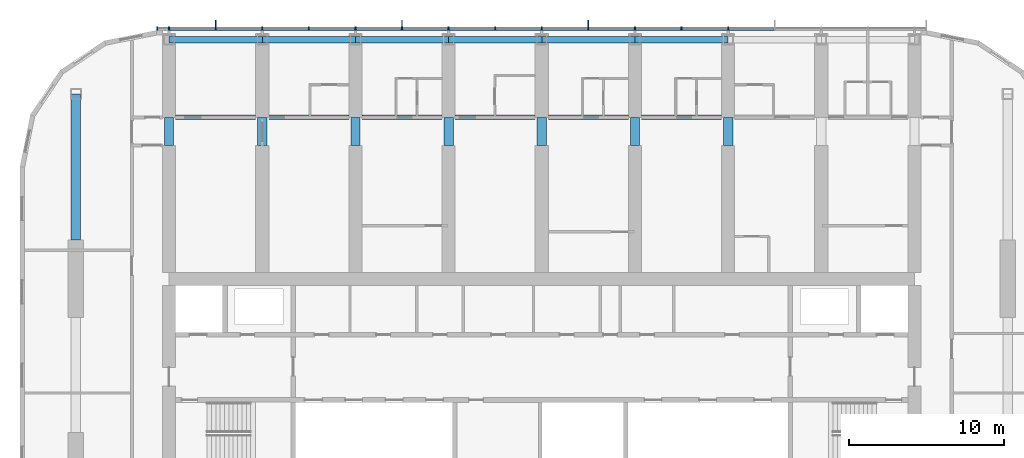
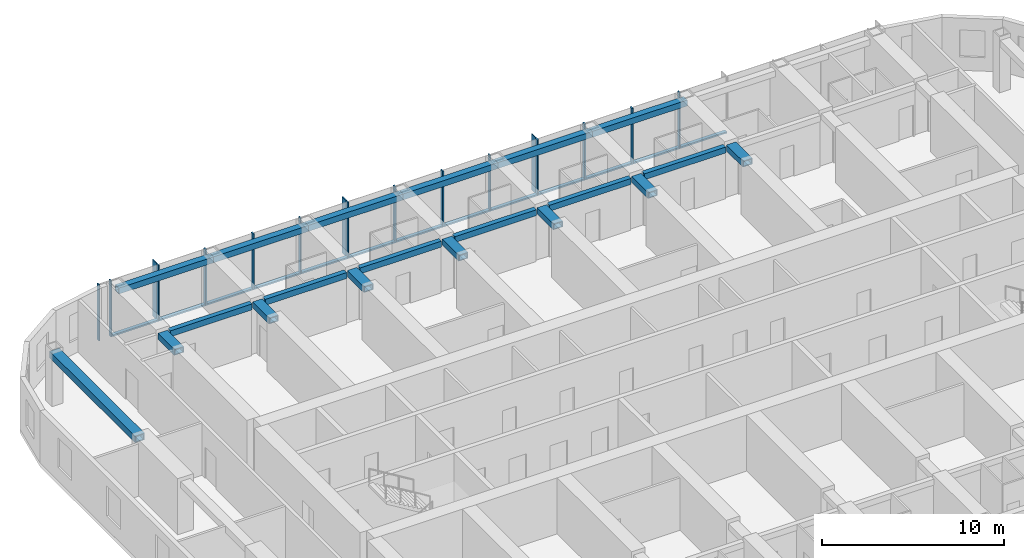
# One storey, part 4 of 22: 30 members, 20 beams, 1 element without a shape of its own.
"""IFC4 building model written with IfcOpenShell, lengths in metres."""

import ifcopenshell
import ifcopenshell.guid

model = None  # the IFC model being written
_history = None  # IfcOwnerHistory: only IFC2X3 demands one
_inside = {}  # id of a spatial element -> (the spatial element, [elements in it])
_under = {}  # id of a project, library or spatial element -> (it, [spatial elements below it])
_declared = {}  # id of a project -> (the project, [libraries it declares])
_typed = {}  # id of a type object -> (the type object, [elements of that type])
_made_of = {}  # id of a material, layer set ... -> (it, [elements and type objects made of it])


def new_model(schema):
    """Start an empty IFC model of exactly this schema.

    Asked for "IFC4X3", IfcOpenShell would pick the latest addendum, in which some entities
    have other attributes; the version numbers below select the first issue.
    IFC2X3 requires an IfcOwnerHistory on every rooted entity: one is made here for all.
    """
    global model, _history
    if schema == "IFC4X3":
        model = ifcopenshell.file(schema_version=(4, 3, 0, 0))
    else:
        model = ifcopenshell.file(schema=schema)
    _inside.clear()
    _under.clear()
    _declared.clear()
    _typed.clear()
    _made_of.clear()
    _history = None
    if model.schema == "IFC2X3":
        org = make("IfcOrganization", Name="unknown")
        user = make(
            "IfcPersonAndOrganization",
            ThePerson=make("IfcPerson", FamilyName="unknown"),
            TheOrganization=org,
        )
        app = make(
            "IfcApplication",
            ApplicationDeveloper=org,
            Version="unknown",
            ApplicationFullName="unknown",
            ApplicationIdentifier="unknown",
        )
        _history = make(
            "IfcOwnerHistory",
            OwningUser=user,
            OwningApplication=app,
            ChangeAction="ADDED",
            CreationDate=0,
        )
    return model


def make(cls, **values):
    """One entity of the class cls with the attributes given. An attribute that is None is left unset."""
    return model.create_entity(
        cls, **{name: value for name, value in values.items() if value is not None}
    )


def rooted(cls, **values):
    """An entity with a GlobalId (a new one), such as an element, a storey or a relation."""
    return make(cls, GlobalId=ifcopenshell.guid.new(), OwnerHistory=_history, **values)


def si_unit(unit_type, name, prefix=None):
    """IfcSIUnit, for example si_unit("LENGTHUNIT", "METRE", prefix="MILLI")."""
    return make("IfcSIUnit", UnitType=unit_type, Prefix=prefix, Name=name)


def assignment(units):
    """IfcUnitAssignment: the units of a project."""
    return None if units is None else make("IfcUnitAssignment", Units=units)


def point(xyz):
    """IfcCartesianPoint."""
    return None if xyz is None else make("IfcCartesianPoint", Coordinates=xyz)


def direction(xyz):
    """IfcDirection."""
    return None if xyz is None else make("IfcDirection", DirectionRatios=xyz)


def frame(location, z_axis=None, x_axis=None):
    """IfcAxis2Placement3D, a coordinate frame: its origin and axes. An axis left out is left unset."""
    return make(
        "IfcAxis2Placement3D",
        Location=point(location),
        Axis=direction(z_axis),
        RefDirection=direction(x_axis),
    )


def frame_2d(location, x_axis=None):
    """IfcAxis2Placement2D, a coordinate frame in the plane: its origin and x axis."""
    return make(
        "IfcAxis2Placement2D", Location=point(location), RefDirection=direction(x_axis)
    )


def origin():
    """The frame at (0, 0, 0) with its axes left unset."""
    return frame((0.0, 0.0, 0.0))


def origin_2d():
    """The frame at (0, 0) in the plane with its x axis left unset."""
    return frame_2d((0.0, 0.0))


def place(relative_to, where):
    """IfcLocalPlacement: puts the frame where relative to a parent placement (None: the world)."""
    return make(
        "IfcLocalPlacement", PlacementRelTo=relative_to, RelativePlacement=where
    )


def context(
    kind, dimensions, precision=None, world=None, true_north=None, identifier=None
):
    """IfcGeometricRepresentationContext, for example the 3D "Model" context."""
    return make(
        "IfcGeometricRepresentationContext",
        ContextIdentifier=identifier,
        ContextType=kind,
        CoordinateSpaceDimension=dimensions,
        Precision=precision,
        WorldCoordinateSystem=world,
        TrueNorth=true_north,
    )


def subcontext(parent, identifier, kind, view, scale=None):
    """IfcGeometricRepresentationSubContext, for example "Body" below "Model"."""
    return make(
        "IfcGeometricRepresentationSubContext",
        ContextIdentifier=identifier,
        ContextType=kind,
        ParentContext=parent,
        TargetScale=scale,
        TargetView=view,
    )


def project(units=None, contexts=None):
    """IfcProject with its units and contexts."""
    return rooted(
        "IfcProject",
        Name="project",
        RepresentationContexts=contexts,
        UnitsInContext=assignment(units),
    )


def spatial(cls, under=None, at=None, **own):
    """A site, building, storey or space (cls), placed at a placement, below another one or the project."""
    s = rooted(cls, ObjectPlacement=at, **own)
    if under is not None:
        _under.setdefault(under.id(), (under, []))[1].append(s)
    return s


def profile(cls, at=None, kind="AREA", **sizes):
    """A parametric profile (cls). Its sizes go by their IFC names, for example OverallWidth=200.0."""
    return make(cls, ProfileType=kind, Position=at, **sizes)


def rectangle(**sizes):
    """IfcRectangleProfileDef."""
    return profile("IfcRectangleProfileDef", **sizes)


def hollow_rectangle(**sizes):
    """IfcRectangleHollowProfileDef."""
    return profile("IfcRectangleHollowProfileDef", **sizes)


def extrude(swept, where, along, depth):
    """IfcExtrudedAreaSolid: the profile swept, set in the frame where, extruded along a direction by depth."""
    return make(
        "IfcExtrudedAreaSolid",
        SweptArea=swept,
        Position=where,
        ExtrudedDirection=direction(along),
        Depth=depth,
    )


def shape(context_of_items, identifier, shape_type, items):
    """IfcShapeRepresentation: the items that make up one representation, for example the "Body"."""
    return make(
        "IfcShapeRepresentation",
        ContextOfItems=context_of_items,
        RepresentationIdentifier=identifier,
        RepresentationType=shape_type,
        Items=items,
    )


def material(Name=None, Category=None):
    """IfcMaterial."""
    return make("IfcMaterial", Name=Name, Category=Category)


def material_profile(
    of_material, cross_section, Name=None, Category=None, Priority=None
):
    """IfcMaterialProfile: a cross section and its material."""
    return make(
        "IfcMaterialProfile",
        Name=Name,
        Material=of_material,
        Profile=cross_section,
        Priority=Priority,
        Category=Category,
    )


def profile_set(profiles, Name=None, composite=None):
    """IfcMaterialProfileSet."""
    return make(
        "IfcMaterialProfileSet",
        Name=Name,
        MaterialProfiles=profiles,
        CompositeProfile=composite,
    )


def made_of(thing, what):
    """Note that an element or type object is made of a material, layer set ...; save() writes the relation."""
    if what is not None:
        _made_of.setdefault(what.id(), (what, []))[1].append(thing)
    return thing


def type_object(cls, material=None, **own):
    """A type object (cls), such as IfcWallType, which elements share."""
    return made_of(rooted(cls, **own), material)


def element(
    cls,
    number,
    at=None,
    inside=None,
    cuts=None,
    type_object=None,
    material=None,
    context=None,
    identifier="Body",
    shape_type=None,
    held_by="IfcProductDefinitionShape",
    body=None,
    shapes=None,
    **own,
):
    """One element of the class cls, such as IfcWall. Its Tag is "e" and its number.

    at: its placement. inside: the storey or other place that contains it. cuts: it is an
    opening in that element (IfcRelVoidsElement). A single representation is given by context,
    identifier, shape_type and body (its items); several are given by shapes. held_by: the class
    of the entity that holds the representations. save() writes the other relations.
    """
    e = rooted(cls, Tag="e%d" % number, ObjectPlacement=at, **own)
    if body is not None:
        shapes = [shape(context, identifier, shape_type, body)]
    if shapes is not None:
        e.Representation = make(held_by, Representations=shapes)
    if inside is not None:
        _inside.setdefault(inside.id(), (inside, []))[1].append(e)
    if cuts is not None:
        rooted(
            "IfcRelVoidsElement", RelatingBuildingElement=cuts, RelatedOpeningElement=e
        )
    if type_object is not None:
        _typed.setdefault(type_object.id(), (type_object, []))[1].append(e)
    return made_of(e, material)


def aggregate(whole, parts):
    """IfcRelAggregates: a whole, such as a stair, and the parts it consists of."""
    return rooted("IfcRelAggregates", RelatingObject=whole, RelatedObjects=parts)


def save(model, path):
    """Write the relations noted so far, then the file.

    IfcRelAggregates (storeys below a building ...), IfcRelContainedInSpatialStructure (elements
    in a storey), IfcRelDefinesByType, IfcRelAssociatesMaterial and IfcRelDeclares: one each for
    every whole, place, type object, material and project.
    """
    for whole, parts in _under.values():
        aggregate(whole, parts)
    for where, things in _inside.values():
        rooted(
            "IfcRelContainedInSpatialStructure",
            RelatedElements=things,
            RelatingStructure=where,
        )
    for kind, things in _typed.values():
        rooted("IfcRelDefinesByType", RelatedObjects=things, RelatingType=kind)
    for what, things in _made_of.values():
        rooted("IfcRelAssociatesMaterial", RelatedObjects=things, RelatingMaterial=what)
    for by, libraries in _declared.values():
        rooted("IfcRelDeclares", RelatingContext=by, RelatedDefinitions=libraries)
    model.write(path)


model = new_model("IFC4")

# Units and contexts
model_context = context("Model", 3, precision=1e-05, world=origin(), true_north=direction((0.0, 1.0)))
body_context = subcontext(model_context, "Body", "Model", "MODEL_VIEW")
ifc_project = project(units=[si_unit("LENGTHUNIT", "METRE"), si_unit("AREAUNIT", "SQUARE_METRE"), si_unit("VOLUMEUNIT", "CUBIC_METRE"), si_unit("PLANEANGLEUNIT", "RADIAN"), si_unit("MASSUNIT", "GRAM", prefix="KILO")], contexts=[model_context])

# Site, building, storey
site_placement = place(None, origin())
site = spatial("IfcSite", under=ifc_project, at=site_placement, CompositionType="ELEMENT")
building_placement = place(site_placement, origin())
building = spatial("IfcBuilding", under=site, at=building_placement, Name="Orbita Commons", CompositionType="ELEMENT")
storey_placement = place(building_placement, frame((0.0, 0.0, 156.10009765625)))
storey = spatial("IfcBuildingStorey", under=building, at=storey_placement, Name="L38", CompositionType="ELEMENT", Elevation=156.10009765625)

# Curtain wall, members
ifc_material_1 = material(Name="Anodised aluminium frame, pale silver", Category="aluminium")
curtain_wall_type = type_object("IfcCurtainWallType", Name="Unitised curtain wall CW-U, full-height vision", PredefinedType="NOTDEFINED", material=ifc_material_1)
curtain_wall_placement = place(storey_placement, origin())
curtain_wall = element("IfcCurtainWall", 1, at=curtain_wall_placement, inside=storey, type_object=curtain_wall_type, Name="Curtain wall north L38", PredefinedType="NOTDEFINED")
ifc_material_2 = material(Name="Anodised aluminium, pale silver", Category="aluminium")
ifc_material_profile_1 = material_profile(ifc_material_2, rectangle(XDim=0.080078125, YDim=0.219970703125, at=origin_2d()), Name="AL 80x220")
ifc_profile_set_1 = profile_set([ifc_material_profile_1], Name="Anodised aluminium, pale silver")
member_type_1 = type_object("IfcMemberType", Name="Curtain wall mullion 80x220", PredefinedType="MULLION", material=ifc_profile_set_1)
member_1_placement = place(storey_placement, frame((54.0, 54.31005859375, -0.25), z_axis=(0.0, 0.0, 1.0), x_axis=(-1.0, 0.0, 0.0)))
member_1 = element("IfcMember", 2, at=member_1_placement, type_object=member_type_1, Name="Mullion 6 CW-L38-N", PredefinedType="MULLION", context=body_context, shape_type="SweptSolid", body=[
    extrude(rectangle(XDim=0.080078125, YDim=0.219970703125, at=origin_2d()), origin(), (0.0, 0.0, 1.0), 3.75),
])
member_2_placement = place(storey_placement, frame((51.0, 54.31005859375, -0.25), z_axis=(0.0, 0.0, 1.0), x_axis=(-1.0, 0.0, 0.0)))
member_2 = element("IfcMember", 3, at=member_2_placement, type_object=member_type_1, Name="Mullion 7 CW-L38-N", PredefinedType="MULLION", context=body_context, shape_type="SweptSolid", body=[
    extrude(rectangle(XDim=0.080078125, YDim=0.219970703125, at=origin_2d()), origin(), (0.0, 0.0, 1.0), 3.75),
])
member_3_placement = place(storey_placement, frame((48.0, 54.31005859375, -0.25), z_axis=(0.0, 0.0, 1.0), x_axis=(-1.0, 0.0, 0.0)))
member_3 = element("IfcMember", 4, at=member_3_placement, type_object=member_type_1, Name="Mullion 8 CW-L38-N", PredefinedType="MULLION", context=body_context, shape_type="SweptSolid", body=[
    extrude(rectangle(XDim=0.080078125, YDim=0.219970703125, at=origin_2d()), origin(), (0.0, 0.0, 1.0), 3.75),
])
member_4_placement = place(storey_placement, frame((45.0, 54.31005859375, -0.25), z_axis=(0.0, 0.0, 1.0), x_axis=(-1.0, 0.0, 0.0)))
member_4 = element("IfcMember", 5, at=member_4_placement, type_object=member_type_1, Name="Mullion 9 CW-L38-N", PredefinedType="MULLION", context=body_context, shape_type="SweptSolid", body=[
    extrude(rectangle(XDim=0.080078125, YDim=0.219970703125, at=origin_2d()), origin(), (0.0, 0.0, 1.0), 3.75),
])
member_5_placement = place(storey_placement, frame((42.0, 54.31005859375, -0.25), z_axis=(0.0, 0.0, 1.0), x_axis=(-1.0, 0.0, 0.0)))
member_5 = element("IfcMember", 6, at=member_5_placement, type_object=member_type_1, Name="Mullion 10 CW-L38-N", PredefinedType="MULLION", context=body_context, shape_type="SweptSolid", body=[
    extrude(rectangle(XDim=0.080078125, YDim=0.219970703125, at=origin_2d()), origin(), (0.0, 0.0, 1.0), 3.75),
])
member_6_placement = place(storey_placement, frame((39.0, 54.31005859375, -0.25), z_axis=(0.0, 0.0, 1.0), x_axis=(-1.0, 0.0, 0.0)))
member_6 = element("IfcMember", 7, at=member_6_placement, type_object=member_type_1, Name="Mullion 11 CW-L38-N", PredefinedType="MULLION", context=body_context, shape_type="SweptSolid", body=[
    extrude(rectangle(XDim=0.080078125, YDim=0.219970703125, at=origin_2d()), origin(), (0.0, 0.0, 1.0), 3.75),
])
member_7_placement = place(storey_placement, frame((36.0, 54.31005859375, -0.25), z_axis=(0.0, 0.0, 1.0), x_axis=(-1.0, 0.0, 0.0)))
member_7 = element("IfcMember", 8, at=member_7_placement, type_object=member_type_1, Name="Mullion 12 CW-L38-N", PredefinedType="MULLION", context=body_context, shape_type="SweptSolid", body=[
    extrude(rectangle(XDim=0.080078125, YDim=0.219970703125, at=origin_2d()), origin(), (0.0, 0.0, 1.0), 3.75),
])
member_8_placement = place(storey_placement, frame((33.0, 54.31005859375, -0.25), z_axis=(0.0, 0.0, 1.0), x_axis=(-1.0, 0.0, 0.0)))
member_8 = element("IfcMember", 9, at=member_8_placement, type_object=member_type_1, Name="Mullion 13 CW-L38-N", PredefinedType="MULLION", context=body_context, shape_type="SweptSolid", body=[
    extrude(rectangle(XDim=0.080078125, YDim=0.219970703125, at=origin_2d()), origin(), (0.0, 0.0, 1.0), 3.75),
])
member_9_placement = place(storey_placement, frame((30.0, 54.31005859375, -0.25), z_axis=(0.0, 0.0, 1.0), x_axis=(-1.0, 0.0, 0.0)))
member_9 = element("IfcMember", 10, at=member_9_placement, type_object=member_type_1, Name="Mullion 14 CW-L38-N", PredefinedType="MULLION", context=body_context, shape_type="SweptSolid", body=[
    extrude(rectangle(XDim=0.080078125, YDim=0.219970703125, at=origin_2d()), origin(), (0.0, 0.0, 1.0), 3.75),
])
member_10_placement = place(storey_placement, frame((27.0, 54.31005859375, -0.25), z_axis=(0.0, 0.0, 1.0), x_axis=(-1.0, 0.0, 0.0)))
member_10 = element("IfcMember", 11, at=member_10_placement, type_object=member_type_1, Name="Mullion 15 CW-L38-N", PredefinedType="MULLION", context=body_context, shape_type="SweptSolid", body=[
    extrude(rectangle(XDim=0.080078125, YDim=0.219970703125, at=origin_2d()), origin(), (0.0, 0.0, 1.0), 3.75),
])
member_11_placement = place(storey_placement, frame((24.0, 54.31005859375, -0.25), z_axis=(0.0, 0.0, 1.0), x_axis=(-1.0, 0.0, 0.0)))
member_11 = element("IfcMember", 12, at=member_11_placement, type_object=member_type_1, Name="Mullion 16 CW-L38-N", PredefinedType="MULLION", context=body_context, shape_type="SweptSolid", body=[
    extrude(rectangle(XDim=0.080078125, YDim=0.219970703125, at=origin_2d()), origin(), (0.0, 0.0, 1.0), 3.75),
])
member_12_placement = place(storey_placement, frame((21.0, 54.31005859375, -0.25), z_axis=(0.0, 0.0, 1.0), x_axis=(-1.0, 0.0, 0.0)))
member_12 = element("IfcMember", 13, at=member_12_placement, type_object=member_type_1, Name="Mullion 17 CW-L38-N", PredefinedType="MULLION", context=body_context, shape_type="SweptSolid", body=[
    extrude(rectangle(XDim=0.080078125, YDim=0.219970703125, at=origin_2d()), origin(), (0.0, 0.0, 1.0), 3.75),
])
member_13_placement = place(storey_placement, frame((18.0, 54.31005859375, -0.25), z_axis=(0.0, 0.0, 1.0), x_axis=(-1.0, 0.0, 0.0)))
member_13 = element("IfcMember", 14, at=member_13_placement, type_object=member_type_1, Name="Mullion 18 CW-L38-N", PredefinedType="MULLION", context=body_context, shape_type="SweptSolid", body=[
    extrude(rectangle(XDim=0.080078125, YDim=0.219970703125, at=origin_2d()), origin(), (0.0, 0.0, 1.0), 3.75),
])
member_14_placement = place(storey_placement, frame((17.239990234375, 54.31005859375, -0.25), z_axis=(0.0, 0.0, 1.0), x_axis=(-1.0, 0.0, 0.0)))
member_14 = element("IfcMember", 15, at=member_14_placement, type_object=member_type_1, Name="Mullion 19 CW-L38-N", PredefinedType="MULLION", context=body_context, shape_type="SweptSolid", body=[
    extrude(rectangle(XDim=0.080078125, YDim=0.219970703125, at=origin_2d()), origin(), (0.0, 0.0, 1.0), 3.75),
])
ifc_material_3 = material(Name="Anodised aluminium, pale silver", Category="aluminium")
ifc_material_profile_2 = material_profile(ifc_material_3, rectangle(XDim=0.219970703125, YDim=0.10009765625, at=origin_2d()), Name="AL 220x100")
ifc_profile_set_2 = profile_set([ifc_material_profile_2], Name="Anodised aluminium, pale silver")
member_type_2 = type_object("IfcMemberType", Name="Curtain wall stack transom 220x100", PredefinedType="USERDEFINED", material=ifc_profile_set_2)
member_15_placement = place(storey_placement, frame((56.9599609375, 54.31005859375, -0.2001953125), z_axis=(-1.0, 0.0, 0.0), x_axis=(0.0, -1.0, 0.0)))
member_15 = element("IfcMember", 16, at=member_15_placement, type_object=member_type_2, Name="Transom 5.1 CW-L38-N", ObjectType="TRANSOM", PredefinedType="USERDEFINED", context=body_context, shape_type="SweptSolid", body=[
    extrude(rectangle(XDim=0.219970703125, YDim=0.10009765625, at=origin_2d()), origin(), (0.0, 0.0, 1.0), 2.919921875),
])
member_16_placement = place(storey_placement, frame((53.9599609375, 54.31005859375, -0.2001953125), z_axis=(-1.0, 0.0, 0.0), x_axis=(0.0, -1.0, 0.0)))
member_16 = element("IfcMember", 17, at=member_16_placement, type_object=member_type_2, Name="Transom 6.1 CW-L38-N", ObjectType="TRANSOM", PredefinedType="USERDEFINED", context=body_context, shape_type="SweptSolid", body=[
    extrude(rectangle(XDim=0.219970703125, YDim=0.10009765625, at=origin_2d()), origin(), (0.0, 0.0, 1.0), 2.919921875),
])
member_17_placement = place(storey_placement, frame((50.9599609375, 54.31005859375, -0.2001953125), z_axis=(-1.0, 0.0, 0.0), x_axis=(0.0, -1.0, 0.0)))
member_17 = element("IfcMember", 18, at=member_17_placement, type_object=member_type_2, Name="Transom 7.1 CW-L38-N", ObjectType="TRANSOM", PredefinedType="USERDEFINED", context=body_context, shape_type="SweptSolid", body=[
    extrude(rectangle(XDim=0.219970703125, YDim=0.10009765625, at=origin_2d()), origin(), (0.0, 0.0, 1.0), 2.919921875),
])
member_18_placement = place(storey_placement, frame((47.9599609375, 54.31005859375, -0.2001953125), z_axis=(-1.0, 0.0, 0.0), x_axis=(0.0, -1.0, 0.0)))
member_18 = element("IfcMember", 19, at=member_18_placement, type_object=member_type_2, Name="Transom 8.1 CW-L38-N", ObjectType="TRANSOM", PredefinedType="USERDEFINED", context=body_context, shape_type="SweptSolid", body=[
    extrude(rectangle(XDim=0.219970703125, YDim=0.10009765625, at=origin_2d()), origin(), (0.0, 0.0, 1.0), 2.919921875),
])
member_19_placement = place(storey_placement, frame((44.9599609375, 54.31005859375, -0.2001953125), z_axis=(-1.0, 0.0, 0.0), x_axis=(0.0, -1.0, 0.0)))
member_19 = element("IfcMember", 20, at=member_19_placement, type_object=member_type_2, Name="Transom 9.1 CW-L38-N", ObjectType="TRANSOM", PredefinedType="USERDEFINED", context=body_context, shape_type="SweptSolid", body=[
    extrude(rectangle(XDim=0.219970703125, YDim=0.10009765625, at=origin_2d()), origin(), (0.0, 0.0, 1.0), 2.919921875),
])
member_20_placement = place(storey_placement, frame((41.9599609375, 54.31005859375, -0.2001953125), z_axis=(-1.0, 0.0, 0.0), x_axis=(0.0, -1.0, 0.0)))
member_20 = element("IfcMember", 21, at=member_20_placement, type_object=member_type_2, Name="Transom 10.1 CW-L38-N", ObjectType="TRANSOM", PredefinedType="USERDEFINED", context=body_context, shape_type="SweptSolid", body=[
    extrude(rectangle(XDim=0.219970703125, YDim=0.10009765625, at=origin_2d()), origin(), (0.0, 0.0, 1.0), 2.919921875),
])
member_21_placement = place(storey_placement, frame((38.9599609375, 54.31005859375, -0.2001953125), z_axis=(-1.0, 0.0, 0.0), x_axis=(0.0, -1.0, 0.0)))
member_21 = element("IfcMember", 22, at=member_21_placement, type_object=member_type_2, Name="Transom 11.1 CW-L38-N", ObjectType="TRANSOM", PredefinedType="USERDEFINED", context=body_context, shape_type="SweptSolid", body=[
    extrude(rectangle(XDim=0.219970703125, YDim=0.10009765625, at=origin_2d()), origin(), (0.0, 0.0, 1.0), 2.919921875),
])
member_22_placement = place(storey_placement, frame((35.9599609375, 54.31005859375, -0.2001953125), z_axis=(-1.0, 0.0, 0.0), x_axis=(0.0, -1.0, 0.0)))
member_22 = element("IfcMember", 23, at=member_22_placement, type_object=member_type_2, Name="Transom 12.1 CW-L38-N", ObjectType="TRANSOM", PredefinedType="USERDEFINED", context=body_context, shape_type="SweptSolid", body=[
    extrude(rectangle(XDim=0.219970703125, YDim=0.10009765625, at=origin_2d()), origin(), (0.0, 0.0, 1.0), 2.919921875),
])
member_23_placement = place(storey_placement, frame((32.9599609375, 54.31005859375, -0.2001953125), z_axis=(-1.0, 0.0, 0.0), x_axis=(0.0, -1.0, 0.0)))
member_23 = element("IfcMember", 24, at=member_23_placement, type_object=member_type_2, Name="Transom 13.1 CW-L38-N", ObjectType="TRANSOM", PredefinedType="USERDEFINED", context=body_context, shape_type="SweptSolid", body=[
    extrude(rectangle(XDim=0.219970703125, YDim=0.10009765625, at=origin_2d()), origin(), (0.0, 0.0, 1.0), 2.919921875),
])
member_24_placement = place(storey_placement, frame((29.9599609375, 54.31005859375, -0.2001953125), z_axis=(-1.0, 0.0, 0.0), x_axis=(0.0, -1.0, 0.0)))
member_24 = element("IfcMember", 25, at=member_24_placement, type_object=member_type_2, Name="Transom 14.1 CW-L38-N", ObjectType="TRANSOM", PredefinedType="USERDEFINED", context=body_context, shape_type="SweptSolid", body=[
    extrude(rectangle(XDim=0.219970703125, YDim=0.10009765625, at=origin_2d()), origin(), (0.0, 0.0, 1.0), 2.919921875),
])
member_25_placement = place(storey_placement, frame((26.9599609375, 54.31005859375, -0.2001953125), z_axis=(-1.0, 0.0, 0.0), x_axis=(0.0, -1.0, 0.0)))
member_25 = element("IfcMember", 26, at=member_25_placement, type_object=member_type_2, Name="Transom 15.1 CW-L38-N", ObjectType="TRANSOM", PredefinedType="USERDEFINED", context=body_context, shape_type="SweptSolid", body=[
    extrude(rectangle(XDim=0.219970703125, YDim=0.10009765625, at=origin_2d()), origin(), (0.0, 0.0, 1.0), 2.919921875),
])
member_26_placement = place(storey_placement, frame((23.9599609375, 54.31005859375, -0.2001953125), z_axis=(-1.0, 0.0, 0.0), x_axis=(0.0, -1.0, 0.0)))
member_26 = element("IfcMember", 27, at=member_26_placement, type_object=member_type_2, Name="Transom 16.1 CW-L38-N", ObjectType="TRANSOM", PredefinedType="USERDEFINED", context=body_context, shape_type="SweptSolid", body=[
    extrude(rectangle(XDim=0.219970703125, YDim=0.10009765625, at=origin_2d()), origin(), (0.0, 0.0, 1.0), 2.919921875),
])
member_27_placement = place(storey_placement, frame((20.9599609375, 54.31005859375, -0.2001953125), z_axis=(-1.0, 0.0, 0.0), x_axis=(0.0, -1.0, 0.0)))
member_27 = element("IfcMember", 28, at=member_27_placement, type_object=member_type_2, Name="Transom 17.1 CW-L38-N", ObjectType="TRANSOM", PredefinedType="USERDEFINED", context=body_context, shape_type="SweptSolid", body=[
    extrude(rectangle(XDim=0.219970703125, YDim=0.10009765625, at=origin_2d()), origin(), (0.0, 0.0, 1.0), 2.919921875),
])

# Beams
ifc_material_4 = material(Name="Steel ASTM A572 Gr 50 welded plate", Category="steel")
ifc_material_profile_3 = material_profile(ifc_material_4, hollow_rectangle(XDim=0.300048828125, YDim=0.39990234375, WallThickness=0.0400390625, at=origin_2d()), Name="BOX 400x300x40")
ifc_profile_set_3 = profile_set([ifc_material_profile_3], Name="Steel ASTM A572 Gr 50 welded plate")
beam_type_1 = type_object("IfcBeamType", Name="Steel corridor link BOX 400x300x40", PredefinedType="BEAM", material=ifc_profile_set_3)
for number, where, z_axis, x_axis, name in (
    (29, (18.425048828125, 48.60009765625, 3.2998046875), (1.0, 0.0, 0.0), (0.0, 1.0, 0.0), "Corridor beam NB 4-5 L38"),
    (30, (24.425048828125, 48.60009765625, 3.2998046875), (1.0, 0.0, 0.0), (0.0, 1.0, 0.0), "Corridor beam NB 5-6 L38"),
    (31, (30.425048828125, 48.60009765625, 3.2998046875), (1.0, 0.0, 0.0), (0.0, 1.0, 0.0), "Corridor beam NB 6-7 L38"),
    (32, (36.425048828125, 48.60009765625, 3.2998046875), (1.0, 0.0, 0.0), (0.0, 1.0, 0.0), "Corridor beam NB 7-8 L38"),
    (33, (42.425048828125, 48.60009765625, 3.2998046875), (1.0, 0.0, 0.0), (0.0, 1.0, 0.0), "Corridor beam NB 8-9 L38"),
    (34, (48.425048828125, 48.60009765625, 3.2998046875), (1.0, 0.0, 0.0), (0.0, 1.0, 0.0), "Corridor beam NB 9-10 L38"),
):
    element("IfcBeam", number, at=place(storey_placement, frame(where, z_axis=z_axis, x_axis=x_axis)), inside=storey, type_object=beam_type_1, Name=name, PredefinedType="BEAM", context=body_context, shape_type="SweptSolid", body=[
        extrude(hollow_rectangle(XDim=0.300048828125, YDim=0.39990234375, WallThickness=0.0400390625, at=origin_2d()), origin(), (0.0, 0.0, 1.0), 5.14990234375),
    ])
ifc_material_5 = material(Name="Steel ASTM A572 Gr 50 welded plate", Category="steel")
ifc_material_profile_4 = material_profile(ifc_material_5, hollow_rectangle(XDim=0.60009765625, YDim=0.39990234375, WallThickness=0.050048828125, at=origin_2d()), Name="BOX 400x600x50")
ifc_profile_set_4 = profile_set([ifc_material_profile_4], Name="Steel ASTM A572 Gr 50 welded plate")
beam_type_2 = type_object("IfcBeamType", Name="Steel coupling link BOX 400x600x50", PredefinedType="LINTEL", material=ifc_profile_set_4)
for number, where, z_axis, x_axis, name in (
    (35, (18.0, 46.800048828125, 3.2998046875), (0.0, 1.0, 0.0), (-1.0, 0.0, 0.0), "Coupling beam 4 north L38"),
    (36, (24.0, 46.800048828125, 3.2998046875), (0.0, 1.0, 0.0), (-1.0, 0.0, 0.0), "Coupling beam 5 north L38"),
    (37, (30.0, 46.800048828125, 3.2998046875), (0.0, 1.0, 0.0), (-1.0, 0.0, 0.0), "Coupling beam 6 north L38"),
    (38, (36.0, 46.800048828125, 3.2998046875), (0.0, 1.0, 0.0), (-1.0, 0.0, 0.0), "Coupling beam 7 north L38"),
    (39, (42.0, 46.800048828125, 3.2998046875), (0.0, 1.0, 0.0), (-1.0, 0.0, 0.0), "Coupling beam 8 north L38"),
    (40, (48.0, 46.800048828125, 3.2998046875), (0.0, 1.0, 0.0), (-1.0, 0.0, 0.0), "Coupling beam 9 north L38"),
    (41, (54.0, 46.800048828125, 3.2998046875), (0.0, 1.0, 0.0), (-1.0, 0.0, 0.0), "Coupling beam 10 north L38"),
):
    element("IfcBeam", number, at=place(storey_placement, frame(where, z_axis=z_axis, x_axis=x_axis)), inside=storey, type_object=beam_type_2, Name=name, PredefinedType="LINTEL", context=body_context, shape_type="SweptSolid", body=[
        extrude(hollow_rectangle(XDim=0.60009765625, YDim=0.39990234375, WallThickness=0.050048828125, at=origin_2d()), origin(), (0.0, 0.0, 1.0), 1.800048828125),
    ])
ifc_material_6 = material(Name="Steel ASTM A572 Gr 50 welded plate", Category="steel")
ifc_material_profile_5 = material_profile(ifc_material_6, hollow_rectangle(XDim=0.60009765625, YDim=0.449951171875, WallThickness=0.06005859375, at=origin_2d()), Name="BOX 450x600x60")
ifc_profile_set_5 = profile_set([ifc_material_profile_5], Name="Steel ASTM A572 Gr 50 welded plate")
beam_type_3 = type_object("IfcBeamType", Name="Steel end frame link BOX 450x600x60", PredefinedType="BEAM", material=ifc_profile_set_5)
beam_placement = place(storey_placement, frame((12.0, 40.699951171875, 3.27490234375), z_axis=(0.0, 1.0, 0.0), x_axis=(-1.0, 0.0, 0.0)))
element("IfcBeam", 42, at=beam_placement, inside=storey, type_object=beam_type_3, Name="End frame beam 3 D-E L38", PredefinedType="BEAM", context=body_context, shape_type="SweptSolid", body=[
    extrude(hollow_rectangle(XDim=0.60009765625, YDim=0.449951171875, WallThickness=0.06005859375, at=origin_2d()), origin(), (0.0, 0.0, 1.0), 9.400146484375),
])
ifc_material_7 = material(Name="Steel ASTM A572 Gr 50 welded plate", Category="steel")
ifc_material_profile_6 = material_profile(ifc_material_7, hollow_rectangle(XDim=0.39990234375, YDim=0.39990234375, WallThickness=0.0400390625, at=origin_2d()), Name="BOX 400x400x40")
ifc_profile_set_6 = profile_set([ifc_material_profile_6], Name="Steel ASTM A572 Gr 50 welded plate")
beam_type_4 = type_object("IfcBeamType", Name="Steel spandrel BOX 400x400x40", PredefinedType="SPANDREL", material=ifc_profile_set_6)
for number, where, z_axis, x_axis, name in (
    (43, (18.0, 53.60009765625, 3.2998046875), (1.0, 0.0, 0.0), (0.0, 1.0, 0.0), "Spandrel beam E 4-5 L38"),
    (44, (24.0, 53.60009765625, 3.2998046875), (1.0, 0.0, 0.0), (0.0, 1.0, 0.0), "Spandrel beam E 5-6 L38"),
    (45, (30.0, 53.60009765625, 3.2998046875), (1.0, 0.0, 0.0), (0.0, 1.0, 0.0), "Spandrel beam E 6-7 L38"),
    (46, (36.0, 53.60009765625, 3.2998046875), (1.0, 0.0, 0.0), (0.0, 1.0, 0.0), "Spandrel beam E 7-8 L38"),
    (47, (42.0, 53.60009765625, 3.2998046875), (1.0, 0.0, 0.0), (0.0, 1.0, 0.0), "Spandrel beam E 8-9 L38"),
    (48, (48.0, 53.60009765625, 3.2998046875), (1.0, 0.0, 0.0), (0.0, 1.0, 0.0), "Spandrel beam E 9-10 L38"),
):
    element("IfcBeam", number, at=place(storey_placement, frame(where, z_axis=z_axis, x_axis=x_axis)), inside=storey, type_object=beam_type_4, Name=name, PredefinedType="SPANDREL", context=body_context, shape_type="SweptSolid", body=[
        extrude(hollow_rectangle(XDim=0.39990234375, YDim=0.39990234375, WallThickness=0.0400390625, at=origin_2d()), origin(), (0.0, 0.0, 1.0), 6.0),
    ])

# Member
ifc_material_8 = material(Name="Anodised aluminium, pale silver", Category="aluminium")
ifc_material_profile_7 = material_profile(ifc_material_8, rectangle(XDim=0.06005859375, YDim=0.449951171875, at=origin_2d()), Name="FIN 60x450")
ifc_profile_set_7 = profile_set([ifc_material_profile_7], Name="Anodised aluminium, pale silver")
member_type_3 = type_object("IfcMemberType", Name="Vertical fin 60x450 pale aluminium", PredefinedType="USERDEFINED", material=ifc_profile_set_7)
member_28_placement = place(storey_placement, frame((45.0, 54.64501953125, -0.25), z_axis=(0.0, 0.0, 1.0), x_axis=(-1.0, 0.0, 0.0)))
member_28 = element("IfcMember", 49, at=member_28_placement, type_object=member_type_3, Name="Fin 9 CW-L38-N", ObjectType="FIN", PredefinedType="USERDEFINED", context=body_context, shape_type="SweptSolid", body=[
    extrude(rectangle(XDim=0.06005859375, YDim=0.449951171875, at=origin_2d()), origin(), (0.0, 0.0, 1.0), 3.75),
])

member_29_placement = place(storey_placement, frame((33.0, 54.64501953125, -0.25), z_axis=(0.0, 0.0, 1.0), x_axis=(-1.0, 0.0, 0.0)))
member_29 = element("IfcMember", 50, at=member_29_placement, type_object=member_type_3, Name="Fin 13 CW-L38-N", ObjectType="FIN", PredefinedType="USERDEFINED", context=body_context, shape_type="SweptSolid", body=[
    extrude(rectangle(XDim=0.06005859375, YDim=0.449951171875, at=origin_2d()), origin(), (0.0, 0.0, 1.0), 3.75),
])

member_30_placement = place(storey_placement, frame((21.0, 54.64501953125, -0.25), z_axis=(0.0, 0.0, 1.0), x_axis=(-1.0, 0.0, 0.0)))
member_30 = element("IfcMember", 51, at=member_30_placement, type_object=member_type_3, Name="Fin 17 CW-L38-N", ObjectType="FIN", PredefinedType="USERDEFINED", context=body_context, shape_type="SweptSolid", body=[
    extrude(rectangle(XDim=0.06005859375, YDim=0.449951171875, at=origin_2d()), origin(), (0.0, 0.0, 1.0), 3.75),
])

aggregate(curtain_wall, [member_1, member_2, member_3, member_4, member_28, member_5, member_6, member_7, member_8, member_29, member_9, member_10, member_11, member_12, member_30, member_13, member_14, member_15, member_16, member_17, member_18, member_19, member_20, member_21, member_22, member_23, member_24, member_25, member_26, member_27])

save(model, "model.ifc")
